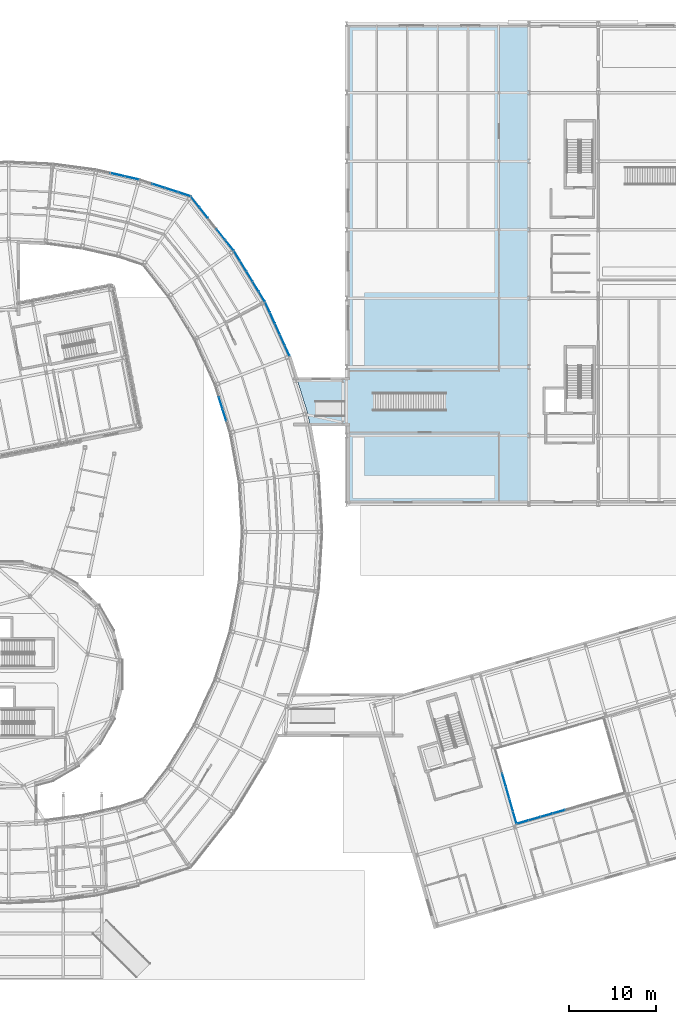
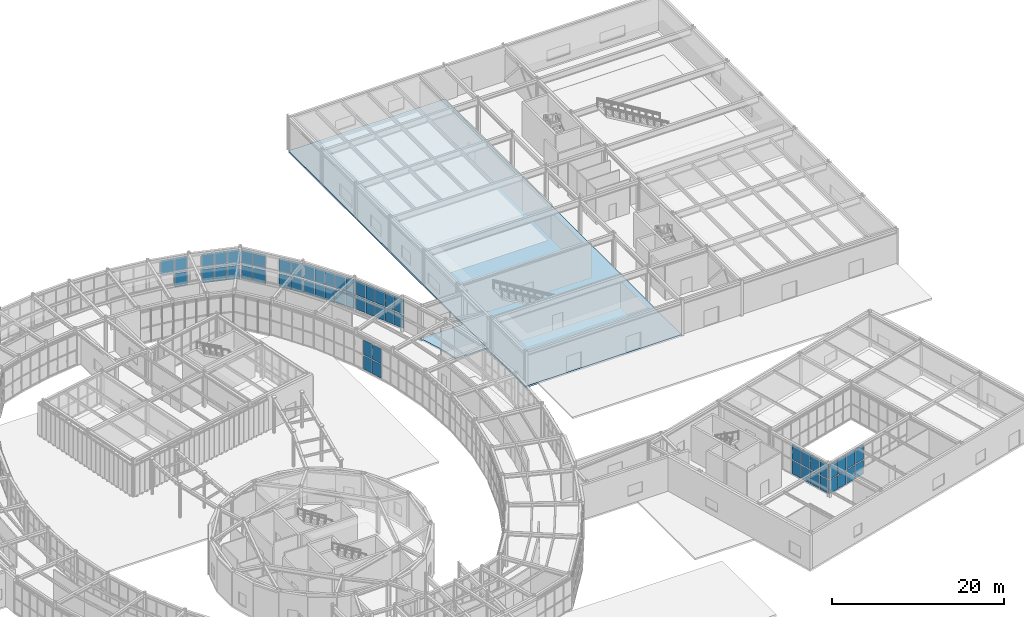
# One storey, part 66 of 97: 57 plates, 2 slabs, 8 elements without a shape of their own.
"""IFC4 building model written with IfcOpenShell, lengths in metres."""

from ifc_helpers import new_model, si_unit, direction, frame, origin, origin_2d, place, context, subcontext, project, spatial, polyline, rectangle, outline, extrude, material, layer, layer_set, type_object, element, aggregate, save


model = new_model("IFC4")

# Units and contexts
model_context = context("Model", 3, precision=1e-05, world=origin(), true_north=direction((0.0, 1.0)))
body_context = subcontext(model_context, "Body", "Model", "MODEL_VIEW")
ifc_project = project(units=[si_unit("LENGTHUNIT", "METRE"), si_unit("AREAUNIT", "SQUARE_METRE"), si_unit("VOLUMEUNIT", "CUBIC_METRE"), si_unit("PLANEANGLEUNIT", "RADIAN"), si_unit("MASSUNIT", "GRAM", prefix="KILO")], contexts=[model_context])

# Site, building, storey
site_placement = place(None, origin())
site = spatial("IfcSite", under=ifc_project, at=site_placement, CompositionType="ELEMENT")
building_placement = place(site_placement, origin())
building = spatial("IfcBuilding", under=site, at=building_placement, Name="Varnklinge Art Gallery", CompositionType="ELEMENT")
storey_placement = place(building_placement, origin())
storey = spatial("IfcBuildingStorey", under=building, at=storey_placement, Name="L00", CompositionType="ELEMENT", Elevation=0.0)

# Curtain wall, plates
ifc_material_1 = material(Name="Anodised Aluminium", Category="aluminium")
curtain_wall_type_1 = type_object("IfcCurtainWallType", Name="CW-R03", PredefinedType="USERDEFINED", material=ifc_material_1)
curtain_wall_1_placement = place(storey_placement, origin())
curtain_wall_1 = element("IfcCurtainWall", 1, at=curtain_wall_1_placement, inside=storey, type_object=curtain_wall_type_1, Name="L00 Curtain Wall CW-V2I-L00-09", ObjectType="UNITISED CURTAIN WALL", PredefinedType="USERDEFINED")
ifc_material_2 = material(Name="Insulated Low-E Triple Glazing", Category="glass")
ifc_layer_1 = layer(ifc_material_2, 0.031982421875)
ifc_layer_set_1 = layer_set([ifc_layer_1], Name="Insulated Low-E Triple Glazing")
plate_type_1 = type_object("IfcPlateType", Name="GLZ-32", PredefinedType="CURTAIN_PANEL", material=ifc_layer_set_1)
plate_1_placement = place(storey_placement, frame((99.91259765625, 69.8662109375, 0.1181640625), z_axis=(0.0, 0.0, 1.0), x_axis=(0.299706904751, -0.954031326134, 0.0)))
plate_1 = element("IfcPlate", 2, at=plate_1_placement, type_object=plate_type_1, Name="CW-V2I-L00-09 Glazing Panel 2.1", PredefinedType="CURTAIN_PANEL", context=body_context, shape_type="SweptSolid", body=[
    extrude(rectangle(XDim=1.3857421875, YDim=0.031982421875, at=origin_2d()), origin(), (0.0, 0.0, 1.0), 1.950439453125),
])
plate_2_placement = place(storey_placement, frame((99.91259765625, 69.8662109375, 2.1845703125), z_axis=(0.0, 0.0, 1.0), x_axis=(0.299706904751, -0.954031326134, 0.0)))
plate_2 = element("IfcPlate", 3, at=plate_2_placement, type_object=plate_type_1, Name="CW-V2I-L00-09 Glazing Panel 2.2", PredefinedType="CURTAIN_PANEL", context=body_context, shape_type="SweptSolid", body=[
    extrude(rectangle(XDim=1.3857421875, YDim=0.031982421875, at=origin_2d()), origin(), (0.0, 0.0, 1.0), 2.127685546875),
])
plate_3_placement = place(storey_placement, frame((100.3447265625, 68.49072265625, 0.1181640625), z_axis=(0.0, 0.0, 1.0), x_axis=(0.299706904751, -0.954031326134, 0.0)))
plate_3 = element("IfcPlate", 4, at=plate_3_placement, type_object=plate_type_1, Name="CW-V2I-L00-09 Glazing Panel 3.1", PredefinedType="CURTAIN_PANEL", context=body_context, shape_type="SweptSolid", body=[
    extrude(rectangle(XDim=1.3857421875, YDim=0.031982421875, at=origin_2d()), origin(), (0.0, 0.0, 1.0), 1.950439453125),
])
plate_4_placement = place(storey_placement, frame((100.3447265625, 68.49072265625, 2.1845703125), z_axis=(0.0, 0.0, 1.0), x_axis=(0.299706904751, -0.954031326134, 0.0)))
plate_4 = element("IfcPlate", 5, at=plate_4_placement, type_object=plate_type_1, Name="CW-V2I-L00-09 Glazing Panel 3.2", PredefinedType="CURTAIN_PANEL", context=body_context, shape_type="SweptSolid", body=[
    extrude(rectangle(XDim=1.3857421875, YDim=0.031982421875, at=origin_2d()), origin(), (0.0, 0.0, 1.0), 2.127685546875),
])
aggregate(curtain_wall_1, [plate_1, plate_2, plate_3, plate_4])

ifc_material_3 = material(Name="Anodised Aluminium", Category="aluminium")
curtain_wall_type_2 = type_object("IfcCurtainWallType", Name="CW-C01", PredefinedType="USERDEFINED", material=ifc_material_3)
curtain_wall_2_placement = place(storey_placement, origin())
curtain_wall_2 = element("IfcCurtainWall", 6, at=curtain_wall_2_placement, inside=storey, type_object=curtain_wall_type_2, Name="L00 Curtain Wall CW-V6C-L00-1", ObjectType="UNITISED CURTAIN WALL", PredefinedType="USERDEFINED")
plate_5_placement = place(storey_placement, frame((138.851806640625, 22.776123046875, 0.1181640625), z_axis=(0.0, 0.0, 1.0), x_axis=(-0.961261695938, -0.275637355817, 0.0)))
plate_5 = element("IfcPlate", 7, at=plate_5_placement, type_object=plate_type_1, Name="CW-V6C-L00-1 Glazing Panel 6.1", PredefinedType="CURTAIN_PANEL", context=body_context, shape_type="SweptSolid", body=[
    extrude(rectangle(XDim=1.388427734375, YDim=0.031982421875, at=origin_2d()), origin(), (0.0, 0.0, 1.0), 1.950439453125),
])
plate_6_placement = place(storey_placement, frame((138.851806640625, 22.776123046875, 2.1845703125), z_axis=(0.0, 0.0, 1.0), x_axis=(-0.961261695938, -0.275637355817, 0.0)))
plate_6 = element("IfcPlate", 8, at=plate_6_placement, type_object=plate_type_1, Name="CW-V6C-L00-1 Glazing Panel 6.2", PredefinedType="CURTAIN_PANEL", context=body_context, shape_type="SweptSolid", body=[
    extrude(rectangle(XDim=1.388427734375, YDim=0.031982421875, at=origin_2d()), origin(), (0.0, 0.0, 1.0), 2.127685546875),
])
plate_7_placement = place(storey_placement, frame((137.46337890625, 22.378173828125, 0.1181640625), z_axis=(0.0, 0.0, 1.0), x_axis=(-0.961261695938, -0.275637355817, 0.0)))
plate_7 = element("IfcPlate", 9, at=plate_7_placement, type_object=plate_type_1, Name="CW-V6C-L00-1 Glazing Panel 7.1", PredefinedType="CURTAIN_PANEL", context=body_context, shape_type="SweptSolid", body=[
    extrude(rectangle(XDim=1.388427734375, YDim=0.031982421875, at=origin_2d()), origin(), (0.0, 0.0, 1.0), 1.950439453125),
])
plate_8_placement = place(storey_placement, frame((137.46337890625, 22.378173828125, 2.1845703125), z_axis=(0.0, 0.0, 1.0), x_axis=(-0.961261695938, -0.275637355817, 0.0)))
plate_8 = element("IfcPlate", 10, at=plate_8_placement, type_object=plate_type_1, Name="CW-V6C-L00-1 Glazing Panel 7.2", PredefinedType="CURTAIN_PANEL", context=body_context, shape_type="SweptSolid", body=[
    extrude(rectangle(XDim=1.388427734375, YDim=0.031982421875, at=origin_2d()), origin(), (0.0, 0.0, 1.0), 2.127685546875),
])
plate_9_placement = place(storey_placement, frame((136.074951171875, 21.97998046875, 0.1181640625), z_axis=(0.0, 0.0, 1.0), x_axis=(-0.961261695938, -0.275637355817, 0.0)))
plate_9 = element("IfcPlate", 11, at=plate_9_placement, type_object=plate_type_1, Name="CW-V6C-L00-1 Glazing Panel 8.1", PredefinedType="CURTAIN_PANEL", context=body_context, shape_type="SweptSolid", body=[
    extrude(rectangle(XDim=1.388427734375, YDim=0.031982421875, at=origin_2d()), origin(), (0.0, 0.0, 1.0), 1.950439453125),
])
plate_10_placement = place(storey_placement, frame((136.074951171875, 21.97998046875, 2.1845703125), z_axis=(0.0, 0.0, 1.0), x_axis=(-0.961261695938, -0.275637355817, 0.0)))
plate_10 = element("IfcPlate", 12, at=plate_10_placement, type_object=plate_type_1, Name="CW-V6C-L00-1 Glazing Panel 8.2", PredefinedType="CURTAIN_PANEL", context=body_context, shape_type="SweptSolid", body=[
    extrude(rectangle(XDim=1.388427734375, YDim=0.031982421875, at=origin_2d()), origin(), (0.0, 0.0, 1.0), 2.127685546875),
])
plate_11_placement = place(storey_placement, frame((134.700927734375, 21.5859375, 0.1181640625), z_axis=(0.0, 0.0, 1.0), x_axis=(-0.961261695938, -0.275637355817, 0.0)))
plate_11 = element("IfcPlate", 13, at=plate_11_placement, type_object=plate_type_1, Name="CW-V6C-L00-1 Glazing Panel 9.1", PredefinedType="CURTAIN_PANEL", context=body_context, shape_type="SweptSolid", body=[
    extrude(rectangle(XDim=1.3583984375, YDim=0.031982421875, at=origin_2d()), origin(), (0.0, 0.0, 1.0), 1.950439453125),
])
plate_12_placement = place(storey_placement, frame((134.700927734375, 21.5859375, 2.1845703125), z_axis=(0.0, 0.0, 1.0), x_axis=(-0.961261695938, -0.275637355817, 0.0)))
plate_12 = element("IfcPlate", 14, at=plate_12_placement, type_object=plate_type_1, Name="CW-V6C-L00-1 Glazing Panel 9.2", PredefinedType="CURTAIN_PANEL", context=body_context, shape_type="SweptSolid", body=[
    extrude(rectangle(XDim=1.3583984375, YDim=0.031982421875, at=origin_2d()), origin(), (0.0, 0.0, 1.0), 2.127685546875),
])
aggregate(curtain_wall_2, [plate_5, plate_6, plate_7, plate_8, plate_9, plate_10, plate_11, plate_12])

curtain_wall_3_placement = place(storey_placement, origin())
curtain_wall_3 = element("IfcCurtainWall", 15, at=curtain_wall_3_placement, inside=storey, type_object=curtain_wall_type_2, Name="L00 Curtain Wall CW-V6C-L00-4", ObjectType="UNITISED CURTAIN WALL", PredefinedType="USERDEFINED")
plate_13_placement = place(storey_placement, frame((133.78125, 22.1181640625, 0.1181640625), z_axis=(0.0, 0.0, 1.0), x_axis=(-0.275637355817, 0.961261695938, 0.0)))
plate_13 = element("IfcPlate", 16, at=plate_13_placement, type_object=plate_type_1, Name="CW-V6C-L00-4 Glazing Panel 1.1", PredefinedType="CURTAIN_PANEL", context=body_context, shape_type="SweptSolid", body=[
    extrude(rectangle(XDim=1.4140625, YDim=0.031982421875, at=origin_2d()), origin(), (0.0, 0.0, 1.0), 1.950439453125),
])
plate_14_placement = place(storey_placement, frame((133.78125, 22.1181640625, 2.1845703125), z_axis=(0.0, 0.0, 1.0), x_axis=(-0.275637355817, 0.961261695938, 0.0)))
plate_14 = element("IfcPlate", 17, at=plate_14_placement, type_object=plate_type_1, Name="CW-V6C-L00-4 Glazing Panel 1.2", PredefinedType="CURTAIN_PANEL", context=body_context, shape_type="SweptSolid", body=[
    extrude(rectangle(XDim=1.4140625, YDim=0.031982421875, at=origin_2d()), origin(), (0.0, 0.0, 1.0), 2.127685546875),
])
plate_15_placement = place(storey_placement, frame((133.3720703125, 23.54541015625, 0.1181640625), z_axis=(0.0, 0.0, 1.0), x_axis=(-0.275637355817, 0.961261695938, 0.0)))
plate_15 = element("IfcPlate", 18, at=plate_15_placement, type_object=plate_type_1, Name="CW-V6C-L00-4 Glazing Panel 2.1", PredefinedType="CURTAIN_PANEL", context=body_context, shape_type="SweptSolid", body=[
    extrude(rectangle(XDim=1.444091796875, YDim=0.031982421875, at=origin_2d()), origin(), (0.0, 0.0, 1.0), 1.950439453125),
])
plate_16_placement = place(storey_placement, frame((133.3720703125, 23.54541015625, 2.1845703125), z_axis=(0.0, 0.0, 1.0), x_axis=(-0.275637355817, 0.961261695938, 0.0)))
plate_16 = element("IfcPlate", 19, at=plate_16_placement, type_object=plate_type_1, Name="CW-V6C-L00-4 Glazing Panel 2.2", PredefinedType="CURTAIN_PANEL", context=body_context, shape_type="SweptSolid", body=[
    extrude(rectangle(XDim=1.444091796875, YDim=0.031982421875, at=origin_2d()), origin(), (0.0, 0.0, 1.0), 2.127685546875),
])
plate_17_placement = place(storey_placement, frame((132.95849609375, 24.9873046875, 0.1181640625), z_axis=(0.0, 0.0, 1.0), x_axis=(-0.275637355817, 0.961261695938, 0.0)))
plate_17 = element("IfcPlate", 20, at=plate_17_placement, type_object=plate_type_1, Name="CW-V6C-L00-4 Glazing Panel 3.1", PredefinedType="CURTAIN_PANEL", context=body_context, shape_type="SweptSolid", body=[
    extrude(rectangle(XDim=1.444091796875, YDim=0.031982421875, at=origin_2d()), origin(), (0.0, 0.0, 1.0), 1.950439453125),
])
plate_18_placement = place(storey_placement, frame((132.95849609375, 24.9873046875, 2.1845703125), z_axis=(0.0, 0.0, 1.0), x_axis=(-0.275637355817, 0.961261695938, 0.0)))
plate_18 = element("IfcPlate", 21, at=plate_18_placement, type_object=plate_type_1, Name="CW-V6C-L00-4 Glazing Panel 3.2", PredefinedType="CURTAIN_PANEL", context=body_context, shape_type="SweptSolid", body=[
    extrude(rectangle(XDim=1.444091796875, YDim=0.031982421875, at=origin_2d()), origin(), (0.0, 0.0, 1.0), 2.127685546875),
])
plate_19_placement = place(storey_placement, frame((132.545166015625, 26.42919921875, 0.1181640625), z_axis=(0.0, 0.0, 1.0), x_axis=(-0.275637355817, 0.961261695938, 0.0)))
plate_19 = element("IfcPlate", 22, at=plate_19_placement, type_object=plate_type_1, Name="CW-V6C-L00-4 Glazing Panel 4.1", PredefinedType="CURTAIN_PANEL", context=body_context, shape_type="SweptSolid", body=[
    extrude(rectangle(XDim=1.444091796875, YDim=0.031982421875, at=origin_2d()), origin(), (0.0, 0.0, 1.0), 1.950439453125),
])
plate_20_placement = place(storey_placement, frame((132.545166015625, 26.42919921875, 2.1845703125), z_axis=(0.0, 0.0, 1.0), x_axis=(-0.275637355817, 0.961261695938, 0.0)))
plate_20 = element("IfcPlate", 23, at=plate_20_placement, type_object=plate_type_1, Name="CW-V6C-L00-4 Glazing Panel 4.2", PredefinedType="CURTAIN_PANEL", context=body_context, shape_type="SweptSolid", body=[
    extrude(rectangle(XDim=1.444091796875, YDim=0.031982421875, at=origin_2d()), origin(), (0.0, 0.0, 1.0), 2.127685546875),
])
aggregate(curtain_wall_3, [plate_13, plate_14, plate_15, plate_16, plate_17, plate_18, plate_19, plate_20])

ifc_material_4 = material(Name="Anodised Aluminium", Category="aluminium")
curtain_wall_type_3 = type_object("IfcCurtainWallType", Name="CW-R01", PredefinedType="USERDEFINED", material=ifc_material_4)
curtain_wall_4_placement = place(storey_placement, origin())
curtain_wall_4 = element("IfcCurtainWall", 24, at=curtain_wall_4_placement, inside=storey, type_object=curtain_wall_type_3, Name="L00 Curtain Wall CW-V2O-L00-10", ObjectType="UNITISED CURTAIN WALL", PredefinedType="USERDEFINED")
ifc_material_5 = material(Name="Insulated Low-E Triple Glazing", Category="glass")
ifc_layer_2 = layer(ifc_material_5, 0.0380859375)
ifc_layer_set_2 = layer_set([ifc_layer_2], Name="Insulated Low-E Triple Glazing")
plate_type_2 = type_object("IfcPlateType", Name="GLZ-38", PredefinedType="CURTAIN_PANEL", material=ifc_layer_set_2)
plate_21_placement = place(storey_placement, frame((107.581787109375, 75.8642578125, 0.14794921875), z_axis=(0.0, 0.0, 1.0), x_axis=(-0.413422293217, 0.910539404678, 0.0)))
plate_21 = element("IfcPlate", 25, at=plate_21_placement, type_object=plate_type_2, Name="CW-V2O-L00-10 Glazing Panel 1.1", PredefinedType="CURTAIN_PANEL", context=body_context, shape_type="SweptSolid", body=[
    extrude(rectangle(XDim=1.2841796875, YDim=0.0380859375, at=origin_2d()), origin(), (0.0, 0.0, 1.0), 1.905517578125),
])
plate_22_placement = place(storey_placement, frame((107.581787109375, 75.8642578125, 2.199462890625), z_axis=(0.0, 0.0, 1.0), x_axis=(-0.413422293217, 0.910539404678, 0.0)))
plate_22 = element("IfcPlate", 26, at=plate_22_placement, type_object=plate_type_2, Name="CW-V2O-L00-10 Glazing Panel 1.2", PredefinedType="CURTAIN_PANEL", context=body_context, shape_type="SweptSolid", body=[
    extrude(rectangle(XDim=1.2841796875, YDim=0.0380859375, at=origin_2d()), origin(), (0.0, 0.0, 1.0), 2.08251953125),
])
plate_23_placement = place(storey_placement, frame((107.01904296875, 77.10400390625, 0.14794921875), z_axis=(0.0, 0.0, 1.0), x_axis=(-0.413422293217, 0.910539404678, 0.0)))
plate_23 = element("IfcPlate", 27, at=plate_23_placement, type_object=plate_type_2, Name="CW-V2O-L00-10 Glazing Panel 2.1", PredefinedType="CURTAIN_PANEL", context=body_context, shape_type="SweptSolid", body=[
    extrude(rectangle(XDim=1.31689453125, YDim=0.0380859375, at=origin_2d()), origin(), (0.0, 0.0, 1.0), 1.905517578125),
])
plate_24_placement = place(storey_placement, frame((107.01904296875, 77.10400390625, 2.199462890625), z_axis=(0.0, 0.0, 1.0), x_axis=(-0.413422293217, 0.910539404678, 0.0)))
plate_24 = element("IfcPlate", 28, at=plate_24_placement, type_object=plate_type_2, Name="CW-V2O-L00-10 Glazing Panel 2.2", PredefinedType="CURTAIN_PANEL", context=body_context, shape_type="SweptSolid", body=[
    extrude(rectangle(XDim=1.31689453125, YDim=0.0380859375, at=origin_2d()), origin(), (0.0, 0.0, 1.0), 2.08251953125),
])
plate_25_placement = place(storey_placement, frame((106.449462890625, 78.3583984375, 0.14794921875), z_axis=(0.0, 0.0, 1.0), x_axis=(-0.413422293217, 0.910539404678, 0.0)))
plate_25 = element("IfcPlate", 29, at=plate_25_placement, type_object=plate_type_2, Name="CW-V2O-L00-10 Glazing Panel 3.1", PredefinedType="CURTAIN_PANEL", context=body_context, shape_type="SweptSolid", body=[
    extrude(rectangle(XDim=1.31689453125, YDim=0.0380859375, at=origin_2d()), origin(), (0.0, 0.0, 1.0), 1.905517578125),
])
plate_26_placement = place(storey_placement, frame((106.449462890625, 78.3583984375, 2.199462890625), z_axis=(0.0, 0.0, 1.0), x_axis=(-0.413422293217, 0.910539404678, 0.0)))
plate_26 = element("IfcPlate", 30, at=plate_26_placement, type_object=plate_type_2, Name="CW-V2O-L00-10 Glazing Panel 3.2", PredefinedType="CURTAIN_PANEL", context=body_context, shape_type="SweptSolid", body=[
    extrude(rectangle(XDim=1.31689453125, YDim=0.0380859375, at=origin_2d()), origin(), (0.0, 0.0, 1.0), 2.08251953125),
])
plate_27_placement = place(storey_placement, frame((105.8798828125, 79.613037109375, 0.14794921875), z_axis=(0.0, 0.0, 1.0), x_axis=(-0.413422293217, 0.910539404678, 0.0)))
plate_27 = element("IfcPlate", 31, at=plate_27_placement, type_object=plate_type_2, Name="CW-V2O-L00-10 Glazing Panel 4.1", PredefinedType="CURTAIN_PANEL", context=body_context, shape_type="SweptSolid", body=[
    extrude(rectangle(XDim=1.31689453125, YDim=0.0380859375, at=origin_2d()), origin(), (0.0, 0.0, 1.0), 1.905517578125),
])
plate_28_placement = place(storey_placement, frame((105.8798828125, 79.613037109375, 2.199462890625), z_axis=(0.0, 0.0, 1.0), x_axis=(-0.413422293217, 0.910539404678, 0.0)))
plate_28 = element("IfcPlate", 32, at=plate_28_placement, type_object=plate_type_2, Name="CW-V2O-L00-10 Glazing Panel 4.2", PredefinedType="CURTAIN_PANEL", context=body_context, shape_type="SweptSolid", body=[
    extrude(rectangle(XDim=1.31689453125, YDim=0.0380859375, at=origin_2d()), origin(), (0.0, 0.0, 1.0), 2.08251953125),
])
plate_29_placement = place(storey_placement, frame((105.31689453125, 80.852783203125, 0.14794921875), z_axis=(0.0, 0.0, 1.0), x_axis=(-0.413422293217, 0.910539404678, 0.0)))
plate_29 = element("IfcPlate", 33, at=plate_29_placement, type_object=plate_type_2, Name="CW-V2O-L00-10 Glazing Panel 5.1", PredefinedType="CURTAIN_PANEL", context=body_context, shape_type="SweptSolid", body=[
    extrude(rectangle(XDim=1.2841796875, YDim=0.0380859375, at=origin_2d()), origin(), (0.0, 0.0, 1.0), 1.905517578125),
])
plate_30_placement = place(storey_placement, frame((105.31689453125, 80.852783203125, 2.199462890625), z_axis=(0.0, 0.0, 1.0), x_axis=(-0.413422293217, 0.910539404678, 0.0)))
plate_30 = element("IfcPlate", 34, at=plate_30_placement, type_object=plate_type_2, Name="CW-V2O-L00-10 Glazing Panel 5.2", PredefinedType="CURTAIN_PANEL", context=body_context, shape_type="SweptSolid", body=[
    extrude(rectangle(XDim=1.2841796875, YDim=0.0380859375, at=origin_2d()), origin(), (0.0, 0.0, 1.0), 2.08251953125),
])
aggregate(curtain_wall_4, [plate_21, plate_22, plate_23, plate_24, plate_25, plate_26, plate_27, plate_28, plate_29, plate_30])

curtain_wall_5_placement = place(storey_placement, origin())
curtain_wall_5 = element("IfcCurtainWall", 35, at=curtain_wall_5_placement, inside=storey, type_object=curtain_wall_type_3, Name="L00 Curtain Wall CW-V2O-L00-11", ObjectType="UNITISED CURTAIN WALL", PredefinedType="USERDEFINED")
plate_31_placement = place(storey_placement, frame((104.658203125, 82.0966796875, 0.14794921875), z_axis=(0.0, 0.0, 1.0), x_axis=(-0.520860651188, 0.85364171761, 0.0)))
plate_31 = element("IfcPlate", 36, at=plate_31_placement, type_object=plate_type_2, Name="CW-V2O-L00-11 Glazing Panel 1.1", PredefinedType="CURTAIN_PANEL", context=body_context, shape_type="SweptSolid", body=[
    extrude(rectangle(XDim=1.2841796875, YDim=0.0380859375, at=origin_2d()), origin(), (0.0, 0.0, 1.0), 1.905517578125),
])
plate_32_placement = place(storey_placement, frame((104.658203125, 82.0966796875, 2.199462890625), z_axis=(0.0, 0.0, 1.0), x_axis=(-0.520860651188, 0.85364171761, 0.0)))
plate_32 = element("IfcPlate", 37, at=plate_32_placement, type_object=plate_type_2, Name="CW-V2O-L00-11 Glazing Panel 1.2", PredefinedType="CURTAIN_PANEL", context=body_context, shape_type="SweptSolid", body=[
    extrude(rectangle(XDim=1.2841796875, YDim=0.0380859375, at=origin_2d()), origin(), (0.0, 0.0, 1.0), 2.08251953125),
])
plate_33_placement = place(storey_placement, frame((103.948974609375, 83.2587890625, 0.14794921875), z_axis=(0.0, 0.0, 1.0), x_axis=(-0.520860651188, 0.85364171761, 0.0)))
plate_33 = element("IfcPlate", 38, at=plate_33_placement, type_object=plate_type_2, Name="CW-V2O-L00-11 Glazing Panel 2.1", PredefinedType="CURTAIN_PANEL", context=body_context, shape_type="SweptSolid", body=[
    extrude(rectangle(XDim=1.316650390625, YDim=0.0380859375, at=origin_2d()), origin(), (0.0, 0.0, 1.0), 1.905517578125),
])
plate_34_placement = place(storey_placement, frame((103.948974609375, 83.2587890625, 2.199462890625), z_axis=(0.0, 0.0, 1.0), x_axis=(-0.520860651188, 0.85364171761, 0.0)))
plate_34 = element("IfcPlate", 39, at=plate_34_placement, type_object=plate_type_2, Name="CW-V2O-L00-11 Glazing Panel 2.2", PredefinedType="CURTAIN_PANEL", context=body_context, shape_type="SweptSolid", body=[
    extrude(rectangle(XDim=1.316650390625, YDim=0.0380859375, at=origin_2d()), origin(), (0.0, 0.0, 1.0), 2.08251953125),
])
plate_35_placement = place(storey_placement, frame((103.231201171875, 84.434814453125, 0.14794921875), z_axis=(0.0, 0.0, 1.0), x_axis=(-0.520860651188, 0.85364171761, 0.0)))
plate_35 = element("IfcPlate", 40, at=plate_35_placement, type_object=plate_type_2, Name="CW-V2O-L00-11 Glazing Panel 3.1", PredefinedType="CURTAIN_PANEL", context=body_context, shape_type="SweptSolid", body=[
    extrude(rectangle(XDim=1.316650390625, YDim=0.0380859375, at=origin_2d()), origin(), (0.0, 0.0, 1.0), 1.905517578125),
])
plate_36_placement = place(storey_placement, frame((103.231201171875, 84.434814453125, 2.199462890625), z_axis=(0.0, 0.0, 1.0), x_axis=(-0.520860651188, 0.85364171761, 0.0)))
plate_36 = element("IfcPlate", 41, at=plate_36_placement, type_object=plate_type_2, Name="CW-V2O-L00-11 Glazing Panel 3.2", PredefinedType="CURTAIN_PANEL", context=body_context, shape_type="SweptSolid", body=[
    extrude(rectangle(XDim=1.316650390625, YDim=0.0380859375, at=origin_2d()), origin(), (0.0, 0.0, 1.0), 2.08251953125),
])
plate_37_placement = place(storey_placement, frame((102.513427734375, 85.61083984375, 0.14794921875), z_axis=(0.0, 0.0, 1.0), x_axis=(-0.520860651188, 0.85364171761, 0.0)))
plate_37 = element("IfcPlate", 42, at=plate_37_placement, type_object=plate_type_2, Name="CW-V2O-L00-11 Glazing Panel 4.1", PredefinedType="CURTAIN_PANEL", context=body_context, shape_type="SweptSolid", body=[
    extrude(rectangle(XDim=1.316650390625, YDim=0.0380859375, at=origin_2d()), origin(), (0.0, 0.0, 1.0), 1.905517578125),
])
plate_38_placement = place(storey_placement, frame((102.513427734375, 85.61083984375, 2.199462890625), z_axis=(0.0, 0.0, 1.0), x_axis=(-0.520860651188, 0.85364171761, 0.0)))
plate_38 = element("IfcPlate", 43, at=plate_38_placement, type_object=plate_type_2, Name="CW-V2O-L00-11 Glazing Panel 4.2", PredefinedType="CURTAIN_PANEL", context=body_context, shape_type="SweptSolid", body=[
    extrude(rectangle(XDim=1.316650390625, YDim=0.0380859375, at=origin_2d()), origin(), (0.0, 0.0, 1.0), 2.08251953125),
])
plate_39_placement = place(storey_placement, frame((101.80419921875, 86.773193359375, 0.14794921875), z_axis=(0.0, 0.0, 1.0), x_axis=(-0.520860651188, 0.85364171761, 0.0)))
plate_39 = element("IfcPlate", 44, at=plate_39_placement, type_object=plate_type_2, Name="CW-V2O-L00-11 Glazing Panel 5.1", PredefinedType="CURTAIN_PANEL", context=body_context, shape_type="SweptSolid", body=[
    extrude(rectangle(XDim=1.2841796875, YDim=0.0380859375, at=origin_2d()), origin(), (0.0, 0.0, 1.0), 1.905517578125),
])
plate_40_placement = place(storey_placement, frame((101.80419921875, 86.773193359375, 2.199462890625), z_axis=(0.0, 0.0, 1.0), x_axis=(-0.520860651188, 0.85364171761, 0.0)))
plate_40 = element("IfcPlate", 45, at=plate_40_placement, type_object=plate_type_2, Name="CW-V2O-L00-11 Glazing Panel 5.2", PredefinedType="CURTAIN_PANEL", context=body_context, shape_type="SweptSolid", body=[
    extrude(rectangle(XDim=1.2841796875, YDim=0.0380859375, at=origin_2d()), origin(), (0.0, 0.0, 1.0), 2.08251953125),
])
aggregate(curtain_wall_5, [plate_31, plate_32, plate_33, plate_34, plate_35, plate_36, plate_37, plate_38, plate_39, plate_40])

curtain_wall_6_placement = place(storey_placement, origin())
curtain_wall_6 = element("IfcCurtainWall", 46, at=curtain_wall_6_placement, inside=storey, type_object=curtain_wall_type_3, Name="L00 Curtain Wall CW-V2O-L00-12", ObjectType="UNITISED CURTAIN WALL", PredefinedType="USERDEFINED")
plate_41_placement = place(storey_placement, frame((100.930419921875, 88.014892578125, 0.14794921875), z_axis=(0.0, 0.0, 1.0), x_axis=(-0.620737354217, 0.784018582101, 0.0)))
plate_41 = element("IfcPlate", 47, at=plate_41_placement, type_object=plate_type_2, Name="CW-V2O-L00-12 Glazing Panel 1.1", PredefinedType="CURTAIN_PANEL", context=body_context, shape_type="SweptSolid", body=[
    extrude(rectangle(XDim=1.506591796875, YDim=0.0380859375, at=origin_2d()), origin(), (0.0, 0.0, 1.0), 1.905517578125),
])
plate_42_placement = place(storey_placement, frame((100.930419921875, 88.014892578125, 2.199462890625), z_axis=(0.0, 0.0, 1.0), x_axis=(-0.620737354217, 0.784018582101, 0.0)))
plate_42 = element("IfcPlate", 48, at=plate_42_placement, type_object=plate_type_2, Name="CW-V2O-L00-12 Glazing Panel 1.2", PredefinedType="CURTAIN_PANEL", context=body_context, shape_type="SweptSolid", body=[
    extrude(rectangle(XDim=1.506591796875, YDim=0.0380859375, at=origin_2d()), origin(), (0.0, 0.0, 1.0), 2.08251953125),
])
plate_43_placement = place(storey_placement, frame((99.947021484375, 89.256591796875, 0.14794921875), z_axis=(0.0, 0.0, 1.0), x_axis=(-0.620737354217, 0.784018582101, 0.0)))
plate_43 = element("IfcPlate", 49, at=plate_43_placement, type_object=plate_type_2, Name="CW-V2O-L00-12 Glazing Panel 2.1", PredefinedType="CURTAIN_PANEL", context=body_context, shape_type="SweptSolid", body=[
    extrude(rectangle(XDim=1.5390625, YDim=0.0380859375, at=origin_2d()), origin(), (0.0, 0.0, 1.0), 1.905517578125),
])
plate_44_placement = place(storey_placement, frame((99.947021484375, 89.256591796875, 2.199462890625), z_axis=(0.0, 0.0, 1.0), x_axis=(-0.620737354217, 0.784018582101, 0.0)))
plate_44 = element("IfcPlate", 50, at=plate_44_placement, type_object=plate_type_2, Name="CW-V2O-L00-12 Glazing Panel 2.2", PredefinedType="CURTAIN_PANEL", context=body_context, shape_type="SweptSolid", body=[
    extrude(rectangle(XDim=1.5390625, YDim=0.0380859375, at=origin_2d()), origin(), (0.0, 0.0, 1.0), 2.08251953125),
])
plate_45_placement = place(storey_placement, frame((97.96044921875, 91.765380859375, 0.14794921875), z_axis=(0.0, 0.0, 1.0), x_axis=(-0.620737354217, 0.784018582101, 0.0)))
plate_45 = element("IfcPlate", 51, at=plate_45_placement, type_object=plate_type_2, Name="CW-V2O-L00-12 Glazing Panel 4.1", PredefinedType="CURTAIN_PANEL", context=body_context, shape_type="SweptSolid", body=[
    extrude(rectangle(XDim=1.5390625, YDim=0.0380859375, at=origin_2d()), origin(), (0.0, 0.0, 1.0), 1.905517578125),
])
plate_46_placement = place(storey_placement, frame((97.96044921875, 91.765380859375, 2.199462890625), z_axis=(0.0, 0.0, 1.0), x_axis=(-0.620737354217, 0.784018582101, 0.0)))
plate_46 = element("IfcPlate", 52, at=plate_46_placement, type_object=plate_type_2, Name="CW-V2O-L00-12 Glazing Panel 4.2", PredefinedType="CURTAIN_PANEL", context=body_context, shape_type="SweptSolid", body=[
    extrude(rectangle(XDim=1.5390625, YDim=0.0380859375, at=origin_2d()), origin(), (0.0, 0.0, 1.0), 2.08251953125),
])
plate_47_placement = place(storey_placement, frame((96.977294921875, 93.007080078125, 0.14794921875), z_axis=(0.0, 0.0, 1.0), x_axis=(-0.620737354217, 0.784018582101, 0.0)))
plate_47 = element("IfcPlate", 53, at=plate_47_placement, type_object=plate_type_2, Name="CW-V2O-L00-12 Glazing Panel 5.1", PredefinedType="CURTAIN_PANEL", context=body_context, shape_type="SweptSolid", body=[
    extrude(rectangle(XDim=1.506591796875, YDim=0.0380859375, at=origin_2d()), origin(), (0.0, 0.0, 1.0), 1.905517578125),
])
plate_48_placement = place(storey_placement, frame((96.977294921875, 93.007080078125, 2.199462890625), z_axis=(0.0, 0.0, 1.0), x_axis=(-0.620737354217, 0.784018582101, 0.0)))
plate_48 = element("IfcPlate", 54, at=plate_48_placement, type_object=plate_type_2, Name="CW-V2O-L00-12 Glazing Panel 5.2", PredefinedType="CURTAIN_PANEL", context=body_context, shape_type="SweptSolid", body=[
    extrude(rectangle(XDim=1.506591796875, YDim=0.0380859375, at=origin_2d()), origin(), (0.0, 0.0, 1.0), 2.08251953125),
])
aggregate(curtain_wall_6, [plate_41, plate_42, plate_43, plate_44, plate_45, plate_46, plate_47, plate_48])

curtain_wall_7_placement = place(storey_placement, origin())
curtain_wall_7 = element("IfcCurtainWall", 55, at=curtain_wall_7_placement, inside=storey, type_object=curtain_wall_type_3, Name="L00 Curtain Wall CW-V2O-L00-13", ObjectType="UNITISED CURTAIN WALL", PredefinedType="USERDEFINED")
plate_49_placement = place(storey_placement, frame((95.711669921875, 93.893310546875, 0.14794921875), z_axis=(0.0, 0.0, 1.0), x_axis=(-0.951272019071, 0.30835295642, 0.0)))
plate_49 = element("IfcPlate", 56, at=plate_49_placement, type_object=plate_type_2, Name="CW-V2O-L00-13 Glazing Panel 1.1", PredefinedType="CURTAIN_PANEL", context=body_context, shape_type="SweptSolid", body=[
    extrude(rectangle(XDim=1.469482421875, YDim=0.0380859375, at=origin_2d()), origin(), (0.0, 0.0, 1.0), 1.905517578125),
])
plate_50_placement = place(storey_placement, frame((95.711669921875, 93.893310546875, 2.199462890625), z_axis=(0.0, 0.0, 1.0), x_axis=(-0.951272019071, 0.30835295642, 0.0)))
plate_50 = element("IfcPlate", 57, at=plate_50_placement, type_object=plate_type_2, Name="CW-V2O-L00-13 Glazing Panel 1.2", PredefinedType="CURTAIN_PANEL", context=body_context, shape_type="SweptSolid", body=[
    extrude(rectangle(XDim=1.469482421875, YDim=0.0380859375, at=origin_2d()), origin(), (0.0, 0.0, 1.0), 2.08251953125),
])
plate_51_placement = place(storey_placement, frame((94.239990234375, 94.3701171875, 0.14794921875), z_axis=(0.0, 0.0, 1.0), x_axis=(-0.951272019071, 0.30835295642, 0.0)))
plate_51 = element("IfcPlate", 58, at=plate_51_placement, type_object=plate_type_2, Name="CW-V2O-L00-13 Glazing Panel 2.1", PredefinedType="CURTAIN_PANEL", context=body_context, shape_type="SweptSolid", body=[
    extrude(rectangle(XDim=1.502197265625, YDim=0.0380859375, at=origin_2d()), origin(), (0.0, 0.0, 1.0), 1.905517578125),
])
plate_52_placement = place(storey_placement, frame((94.239990234375, 94.3701171875, 2.199462890625), z_axis=(0.0, 0.0, 1.0), x_axis=(-0.951272019071, 0.30835295642, 0.0)))
plate_52 = element("IfcPlate", 59, at=plate_52_placement, type_object=plate_type_2, Name="CW-V2O-L00-13 Glazing Panel 2.2", PredefinedType="CURTAIN_PANEL", context=body_context, shape_type="SweptSolid", body=[
    extrude(rectangle(XDim=1.502197265625, YDim=0.0380859375, at=origin_2d()), origin(), (0.0, 0.0, 1.0), 2.08251953125),
])
plate_53_placement = place(storey_placement, frame((92.753173828125, 94.85205078125, 0.14794921875), z_axis=(0.0, 0.0, 1.0), x_axis=(-0.951272019071, 0.30835295642, 0.0)))
plate_53 = element("IfcPlate", 60, at=plate_53_placement, type_object=plate_type_2, Name="CW-V2O-L00-13 Glazing Panel 3.1", PredefinedType="CURTAIN_PANEL", context=body_context, shape_type="SweptSolid", body=[
    extrude(rectangle(XDim=1.502197265625, YDim=0.0380859375, at=origin_2d()), origin(), (0.0, 0.0, 1.0), 1.905517578125),
])
plate_54_placement = place(storey_placement, frame((92.753173828125, 94.85205078125, 2.199462890625), z_axis=(0.0, 0.0, 1.0), x_axis=(-0.951272019071, 0.30835295642, 0.0)))
plate_54 = element("IfcPlate", 61, at=plate_54_placement, type_object=plate_type_2, Name="CW-V2O-L00-13 Glazing Panel 3.2", PredefinedType="CURTAIN_PANEL", context=body_context, shape_type="SweptSolid", body=[
    extrude(rectangle(XDim=1.502197265625, YDim=0.0380859375, at=origin_2d()), origin(), (0.0, 0.0, 1.0), 2.08251953125),
])
aggregate(curtain_wall_7, [plate_49, plate_50, plate_51, plate_52, plate_53, plate_54])

curtain_wall_8_placement = place(storey_placement, origin())
curtain_wall_8 = element("IfcCurtainWall", 62, at=curtain_wall_8_placement, inside=storey, type_object=curtain_wall_type_1, Name="L00 Curtain Wall CW-V2O-L00-14", ObjectType="UNITISED CURTAIN WALL", PredefinedType="USERDEFINED")
plate_55_placement = place(storey_placement, frame((89.683349609375, 95.765869140625, 0.14794921875), z_axis=(0.0, 0.0, 1.0), x_axis=(-0.975071959883, 0.221888875454, 0.0)))
plate_55 = element("IfcPlate", 63, at=plate_55_placement, type_object=plate_type_2, Name="CW-V2O-L00-14 Glazing Panel 1.1", PredefinedType="CURTAIN_PANEL", context=body_context, shape_type="SweptSolid", body=[
    extrude(rectangle(XDim=1.59521484375, YDim=0.0380859375, at=origin_2d()), origin(), (0.0, 0.0, 1.0), 1.905517578125),
])
plate_56_placement = place(storey_placement, frame((89.683349609375, 95.765869140625, 2.199462890625), z_axis=(0.0, 0.0, 1.0), x_axis=(-0.975071959883, 0.221888875454, 0.0)))
plate_56 = element("IfcPlate", 64, at=plate_56_placement, type_object=plate_type_2, Name="CW-V2O-L00-14 Glazing Panel 1.2", PredefinedType="CURTAIN_PANEL", context=body_context, shape_type="SweptSolid", body=[
    extrude(rectangle(XDim=1.59521484375, YDim=0.0380859375, at=origin_2d()), origin(), (0.0, 0.0, 1.0), 2.08251953125),
])
plate_57_placement = place(storey_placement, frame((88.052490234375, 96.13720703125, 2.199462890625), z_axis=(0.0, 0.0, 1.0), x_axis=(-0.975071959883, 0.221888875454, 0.0)))
plate_57 = element("IfcPlate", 65, at=plate_57_placement, type_object=plate_type_2, Name="CW-V2O-L00-14 Glazing Panel 2.2", PredefinedType="CURTAIN_PANEL", context=body_context, shape_type="SweptSolid", body=[
    extrude(rectangle(XDim=1.627685546875, YDim=0.0380859375, at=origin_2d()), origin(), (0.0, 0.0, 1.0), 2.08251953125),
])
aggregate(curtain_wall_8, [plate_55, plate_56, plate_57])

# Slabs
ifc_material_6 = material(Name="Concrete C35/45", Category="concrete")
ifc_layer_3 = layer(ifc_material_6, 0.219970703125)
ifc_layer_set_3 = layer_set([ifc_layer_3], Name="Concrete C35/45")
slab_type_1 = type_object("IfcSlabType", Name="SLB-F22", PredefinedType="FLOOR", material=ifc_layer_set_3)
slab_1_placement = place(storey_placement, frame((0.0, 0.0, -0.219970703125)))
element("IfcSlab", 66, at=slab_1_placement, inside=storey, type_object=slab_type_1, Name="L00 LNK-V1 Gallery Link Slab", PredefinedType="FLOOR", context=body_context, shape_type="SweptSolid", body=[
    extrude(outline(polyline([(114.39990234375, 67.199951171875), (114.39990234375, 72.800048828125), (108.634521484375, 72.800048828125), (109.93798828125, 68.650146484375), (110.2060546875, 67.199951171875), (114.39990234375, 67.199951171875)])), origin(), (0.0, 0.0, 1.0), 0.219970703125),
])
ifc_material_7 = material(Name="Concrete C35/45", Category="concrete")
ifc_layer_4 = layer(ifc_material_7, 0.25)
ifc_layer_set_4 = layer_set([ifc_layer_4], Name="Concrete C35/45")
slab_type_2 = type_object("IfcSlabType", Name="SLB-F25", PredefinedType="FLOOR", material=ifc_layer_set_4)
slab_2_placement = place(storey_placement, frame((0.0, 0.0, -0.25)))
element("IfcSlab", 67, at=slab_2_placement, inside=storey, type_object=slab_type_2, Name="L00 Shell Hall W Floor Slab", PredefinedType="FLOOR", context=body_context, shape_type="SweptSolid", body=[
    extrude(outline(polyline([(135.39990234375, 58.199951171875), (135.39990234375, 113.5), (114.39990234375, 113.5), (114.39990234375, 58.199951171875), (135.39990234375, 58.199951171875)])), origin(), (0.0, 0.0, 1.0), 0.25),
])

save(model, "model.ifc")
